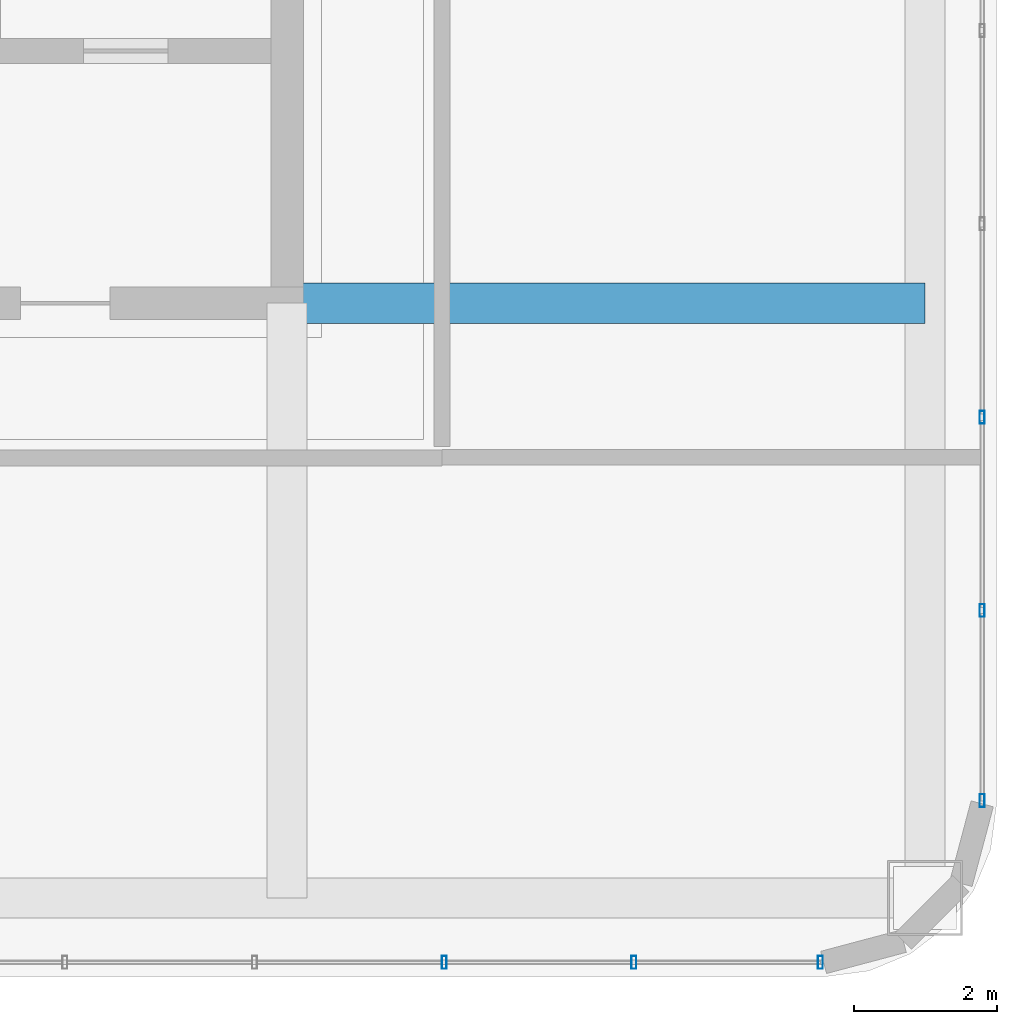
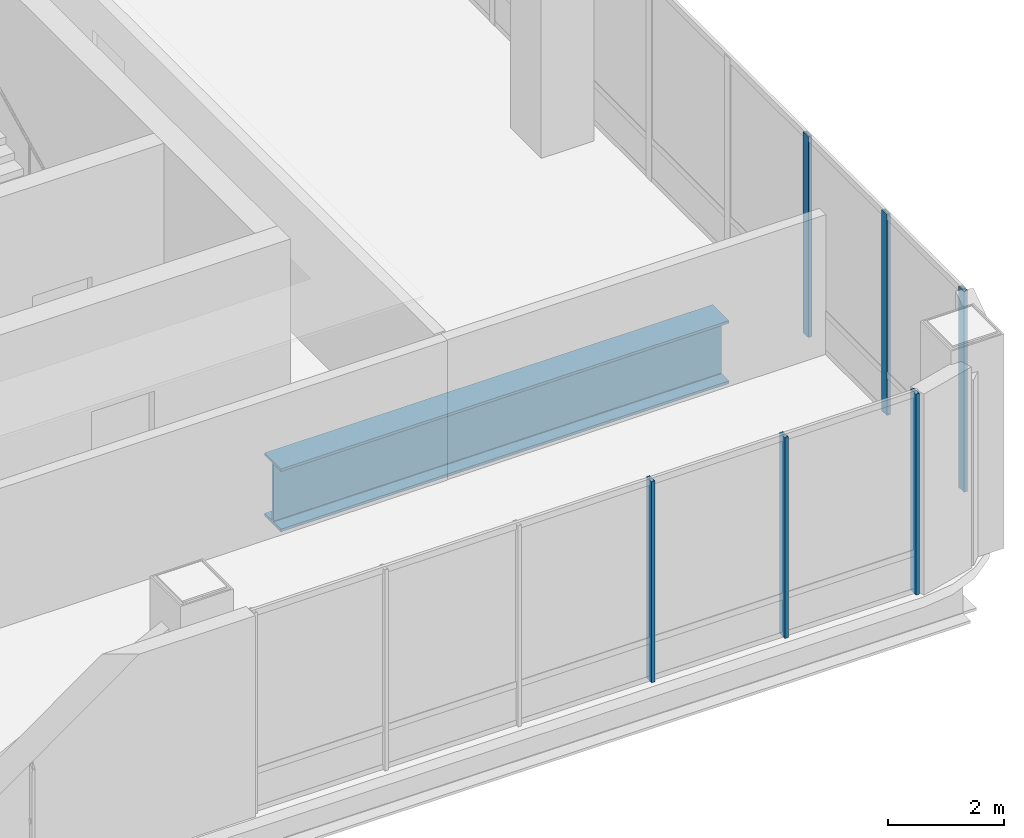
# One storey, part 14 of 33: 6 members, 1 beam, 2 elements without a shape of their own.
"""IFC4 building model written with IfcOpenShell, lengths in metres."""

from ifc_helpers import new_model, si_unit, direction, frame, origin, origin_2d, place, context, subcontext, project, spatial, hollow_rectangle, i_section, extrude, material, material_profile, profile_set, type_object, element, aggregate, save


model = new_model("IFC4")

# Units and contexts
model_context = context("Model", 3, precision=1e-05, world=origin(), true_north=direction((0.0, 1.0)))
body_context = subcontext(model_context, "Body", "Model", "MODEL_VIEW")
ifc_project = project(units=[si_unit("LENGTHUNIT", "METRE"), si_unit("AREAUNIT", "SQUARE_METRE"), si_unit("VOLUMEUNIT", "CUBIC_METRE"), si_unit("PLANEANGLEUNIT", "RADIAN"), si_unit("MASSUNIT", "GRAM", prefix="KILO")], contexts=[model_context])

# Site, building, storey
site_placement = place(None, origin())
site = spatial("IfcSite", under=ifc_project, at=site_placement, CompositionType="ELEMENT")
building_placement = place(site_placement, origin())
building = spatial("IfcBuilding", under=site, at=building_placement, Name="Punatoya Terracotta Tower", CompositionType="ELEMENT")
storey_placement = place(building_placement, frame((0.0, 0.0, 348.300048828125)))
storey = spatial("IfcBuildingStorey", under=building, at=storey_placement, Name="L82", CompositionType="ELEMENT", Elevation=348.300048828125)

# Beam
ifc_material_1 = material(Name="Steel S460", Category="steel")
ifc_material_profile_1 = material_profile(ifc_material_1, i_section(OverallWidth=0.56005859375, OverallDepth=1.320068359375, WebThickness=0.035888671875, FlangeThickness=0.054931640625, FilletRadius=0.01806640625, at=origin_2d()))
ifc_profile_set_1 = profile_set([ifc_material_profile_1], Name="Steel S460")
beam_type = type_object("IfcBeamType", Name="BM-TG-BLK", PredefinedType="BEAM", material=ifc_profile_set_1)
beam_placement = place(storey_placement, frame((10.199951171875, -9.199951171875, -0.880126953125), z_axis=(1.0, 0.0, 0.0), x_axis=(0.0, 1.0, 0.0)))
element("IfcBeam", 1, at=beam_placement, inside=storey, type_object=beam_type, Name="BM-L82-PR-ES", PredefinedType="BEAM", context=body_context, shape_type="SweptSolid", body=[
    extrude(i_section(OverallWidth=0.56005859375, OverallDepth=1.320068359375, WebThickness=0.035888671875, FlangeThickness=0.054931640625, FilletRadius=0.01806640625, at=origin_2d()), origin(), (0.0, 0.0, 1.0), 8.900146484375),
])

# Curtain wall, members
ifc_material_2 = material(Name="Aluminium 6063-T6 + Double Low-E Glass", Category="aluminium")
curtain_wall_type = type_object("IfcCurtainWallType", Name="CW-CRN", PredefinedType="NOTDEFINED", material=ifc_material_2)
curtain_wall_1_placement = place(storey_placement, origin())
curtain_wall_1 = element("IfcCurtainWall", 2, at=curtain_wall_1_placement, inside=storey, type_object=curtain_wall_type, Name="L82 Curtain Wall CW-L82-S01-2", PredefinedType="NOTDEFINED")
ifc_material_3 = material(Name="Aluminium 6063-T6", Category="aluminium")
ifc_material_profile_2 = material_profile(ifc_material_3, hollow_rectangle(XDim=0.070068359375, YDim=0.179931640625, WallThickness=0.00390625, at=origin_2d()))
ifc_profile_set_2 = profile_set([ifc_material_profile_2], Name="Aluminium 6063-T6")
member_type = type_object("IfcMemberType", Name="CW-MUL-M3", PredefinedType="MULLION", material=ifc_profile_set_2)
member_1_placement = place(storey_placement, frame((12.39208984375, -18.39990234375, 0.0), z_axis=(0.0, 0.0, 1.0), x_axis=(1.0, 0.0, 0.0)))
member_1 = element("IfcMember", 3, at=member_1_placement, type_object=member_type, Name="CW-L82-S01-2 Mullion 03", PredefinedType="MULLION", context=body_context, shape_type="SweptSolid", body=[
    extrude(hollow_rectangle(XDim=0.070068359375, YDim=0.179931640625, WallThickness=0.00390625, at=origin_2d()), origin(), (0.0, 0.0, 1.0), 4.219970703125),
])
member_2_placement = place(storey_placement, frame((15.03955078125, -18.39990234375, 0.0), z_axis=(0.0, 0.0, 1.0), x_axis=(1.0, 0.0, 0.0)))
member_2 = element("IfcMember", 4, at=member_2_placement, type_object=member_type, Name="CW-L82-S01-2 Mullion 04", PredefinedType="MULLION", context=body_context, shape_type="SweptSolid", body=[
    extrude(hollow_rectangle(XDim=0.070068359375, YDim=0.179931640625, WallThickness=0.00390625, at=origin_2d()), origin(), (0.0, 0.0, 1.0), 4.219970703125),
])
member_3_placement = place(storey_placement, frame((17.641845703125, -18.39990234375, 0.0), z_axis=(0.0, 0.0, 1.0), x_axis=(1.0, 0.0, 0.0)))
member_3 = element("IfcMember", 5, at=member_3_placement, type_object=member_type, Name="CW-L82-S01-2 Mullion 05", PredefinedType="MULLION", context=body_context, shape_type="SweptSolid", body=[
    extrude(hollow_rectangle(XDim=0.070068359375, YDim=0.179931640625, WallThickness=0.00390625, at=origin_2d()), origin(), (0.0, 0.0, 1.0), 4.219970703125),
])
aggregate(curtain_wall_1, [member_1, member_2, member_3])

curtain_wall_2_placement = place(storey_placement, origin())
curtain_wall_2 = element("IfcCurtainWall", 6, at=curtain_wall_2_placement, inside=storey, type_object=curtain_wall_type, Name="L82 Curtain Wall CW-L82-E05-1", PredefinedType="NOTDEFINED")
member_4_placement = place(storey_placement, frame((19.89990234375, -16.141845703125, 0.0), z_axis=(0.0, 0.0, 1.0), x_axis=(1.0, 0.0, 0.0)))
member_4 = element("IfcMember", 7, at=member_4_placement, type_object=member_type, Name="CW-L82-E05-1 Mullion 00", PredefinedType="MULLION", context=body_context, shape_type="SweptSolid", body=[
    extrude(hollow_rectangle(XDim=0.070068359375, YDim=0.179931640625, WallThickness=0.00390625, at=origin_2d()), origin(), (0.0, 0.0, 1.0), 4.219970703125),
])
member_5_placement = place(storey_placement, frame((19.89990234375, -13.489013671875, 0.0), z_axis=(0.0, 0.0, 1.0), x_axis=(1.0, 0.0, 0.0)))
member_5 = element("IfcMember", 8, at=member_5_placement, type_object=member_type, Name="CW-L82-E05-1 Mullion 01", PredefinedType="MULLION", context=body_context, shape_type="SweptSolid", body=[
    extrude(hollow_rectangle(XDim=0.070068359375, YDim=0.179931640625, WallThickness=0.00390625, at=origin_2d()), origin(), (0.0, 0.0, 1.0), 4.219970703125),
])
member_6_placement = place(storey_placement, frame((19.89990234375, -10.791259765625, 0.0), z_axis=(0.0, 0.0, 1.0), x_axis=(1.0, 0.0, 0.0)))
member_6 = element("IfcMember", 9, at=member_6_placement, type_object=member_type, Name="CW-L82-E05-1 Mullion 02", PredefinedType="MULLION", context=body_context, shape_type="SweptSolid", body=[
    extrude(hollow_rectangle(XDim=0.070068359375, YDim=0.179931640625, WallThickness=0.00390625, at=origin_2d()), origin(), (0.0, 0.0, 1.0), 4.219970703125),
])
aggregate(curtain_wall_2, [member_4, member_5, member_6])

save(model, "model.ifc")
